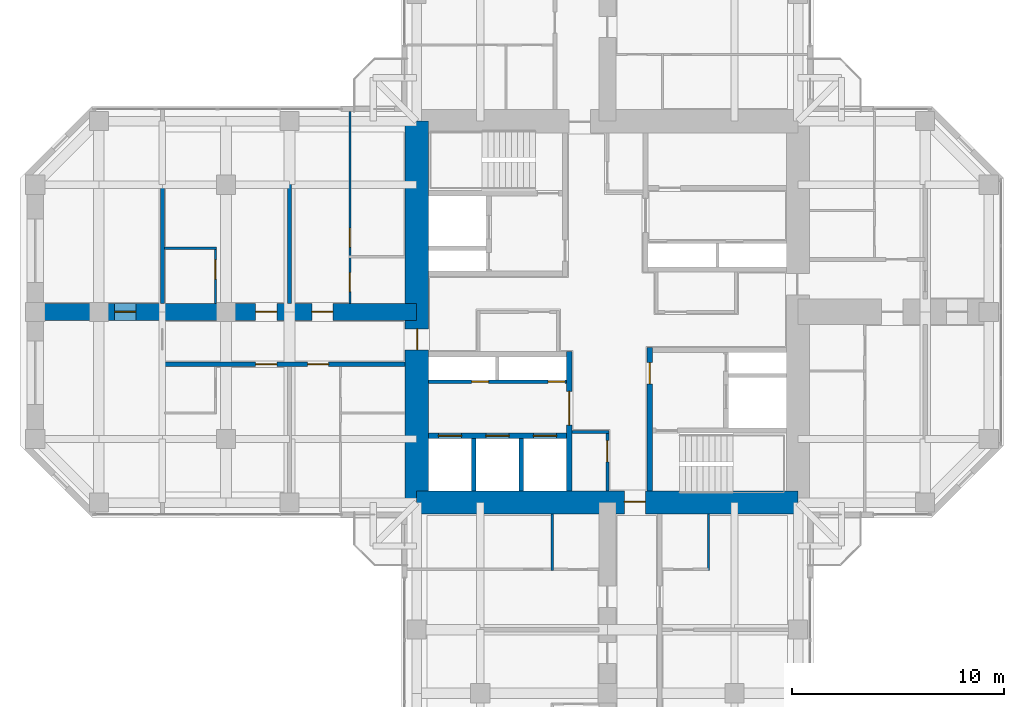
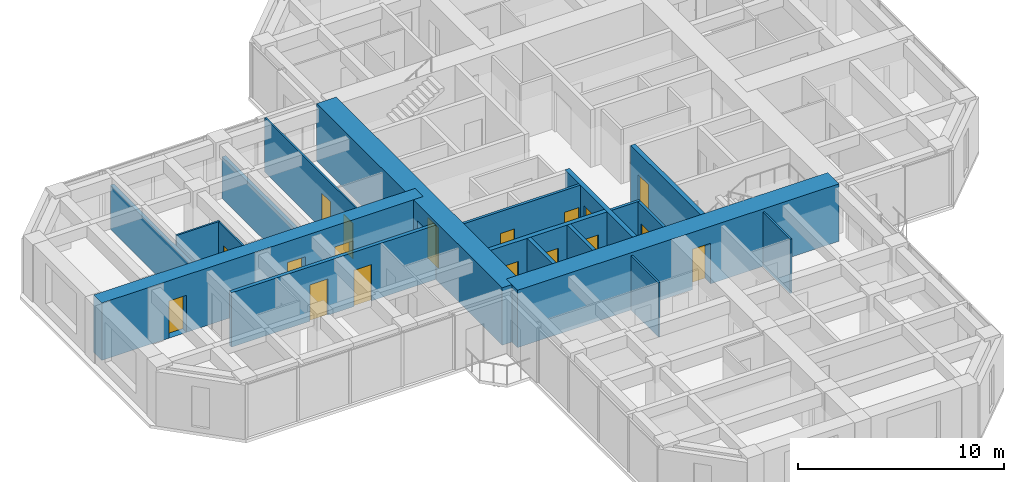
# One storey, part 9 of 14: 19 walls, 18 doors, 18 openings.
"""IFC4 building model written with IfcOpenShell, lengths in metres."""

from ifc_helpers import new_model, si_unit, direction, frame, frame_2d, origin, place, context, subcontext, project, spatial, rectangle, extrude, material, layer, layer_set, constituent, constituent_set, type_object, element, fill, save


model = new_model("IFC4")

# Units and contexts
model_context = context("Model", 3, precision=1e-05, world=origin(), true_north=direction((0.0, 1.0)))
body_context = subcontext(model_context, "Body", "Model", "MODEL_VIEW")
ifc_project = project(units=[si_unit("LENGTHUNIT", "METRE"), si_unit("AREAUNIT", "SQUARE_METRE"), si_unit("VOLUMEUNIT", "CUBIC_METRE"), si_unit("PLANEANGLEUNIT", "RADIAN"), si_unit("MASSUNIT", "GRAM", prefix="KILO")], contexts=[model_context])

# Site, building, storey
site_placement = place(None, origin())
site = spatial("IfcSite", under=ifc_project, at=site_placement, CompositionType="ELEMENT")
building_placement = place(site_placement, origin())
building = spatial("IfcBuilding", under=site, at=building_placement, Name="Torre Cruceta", CompositionType="ELEMENT")
storey_placement = place(building_placement, frame((0.0, 0.0, 179.699951171875)))
storey = spatial("IfcBuildingStorey", under=building, at=storey_placement, Name="L44", CompositionType="ELEMENT", Elevation=179.699951171875)

# Walls
ifc_material_1 = material(Name="Water-resistant plasterboard on steel studs", Category="steel")
ifc_layer_1 = layer(ifc_material_1, 0.10009765625)
ifc_layer_set_1 = layer_set([ifc_layer_1], Name="Water-resistant plasterboard on steel studs")
wall_type_1 = type_object("IfcWallType", Name="BATHROOM WALL 100", PredefinedType="PARTITIONING", material=ifc_layer_set_1)
for number, where, z_axis, x_axis, name in (
    (1, (4.77490234375, -9.550048828125, 0.0), (0.0, 0.0, 1.0), (0.0, -1.0, 0.0), "PT4 L44-S-U1LBB"),
    (2, (-2.60009765625, -9.550048828125, 0.0), (0.0, 0.0, 1.0), (0.0, -1.0, 0.0), "PT4 L44-S-U1RBB"),
):
    element("IfcWall", number, at=place(storey_placement, frame(where, z_axis=z_axis, x_axis=x_axis)), inside=storey, type_object=wall_type_1, Name=name, PredefinedType="PARTITIONING", context=body_context, shape_type="SweptSolid", body=[
        extrude(rectangle(XDim=2.64990234375, YDim=0.10009765625, at=frame_2d((1.324951171875, 0.0))), origin(), (0.0, 0.0, 1.0), 3.219970703125),
    ])

# Wall, openings, doors
wall_1_placement = place(storey_placement, frame((-12.14990234375, 9.445068359375, 0.0), z_axis=(0.0, 0.0, 1.0), x_axis=(0.0, -1.0, 0.0)))
wall_1 = element("IfcWall", 3, at=wall_1_placement, inside=storey, type_object=wall_type_1, Name="PT4 L44-W-U1RBS", PredefinedType="PARTITIONING", context=body_context, shape_type="SweptSolid", body=[
    extrude(rectangle(XDim=9.045166015625, YDim=0.10009765625, at=frame_2d((4.5224609375, 0.0))), origin(), (0.0, 0.0, 1.0), 3.219970703125),
])
opening_1_placement = place(wall_1_placement, frame((5.4951171875, 0.0, 0.0)))
opening_1 = element("IfcOpeningElement", 4, at=opening_1_placement, cuts=wall_1, Name="Opening D7", PredefinedType="OPENING", context=body_context, shape_type="SweptSolid", body=[
    extrude(rectangle(XDim=0.89990234375, YDim=2.10009765625, at=frame_2d((0.449951171875, 1.050048828125))), frame((0.0, 0.06005859375, 0.0), z_axis=(0.0, -1.0, 0.0), x_axis=(1.0, 0.0, 0.0)), (0.0, 0.0, 1.0), 0.1201171875),
])
opening_2_placement = place(wall_1_placement, frame((7.594970703125, 0.0, 0.0)))
opening_2 = element("IfcOpeningElement", 5, at=opening_2_placement, cuts=wall_1, Name="Opening D7", PredefinedType="OPENING", context=body_context, shape_type="SweptSolid", body=[
    extrude(rectangle(XDim=0.89990234375, YDim=2.10009765625, at=frame_2d((0.449951171875, 1.050048828125))), frame((0.0, 0.06005859375, 0.0), z_axis=(0.0, -1.0, 0.0), x_axis=(1.0, 0.0, 0.0)), (0.0, 0.0, 1.0), 0.1201171875),
])
ifc_material_2 = material(Name="Timber door", Category="wood")
door_type_1 = type_object("IfcDoorType", Name="BATHROOM DOOR 900X2100", OperationType="SINGLE_SWING_LEFT", PredefinedType="DOOR", material=ifc_material_2)
door_1_placement = place(opening_1_placement, origin())
door_1 = element("IfcDoor", 6, at=door_1_placement, inside=storey, type_object=door_type_1, Name="D7 L44-W-U1RBS-D1", OperationType="SINGLE_SWING_RIGHT", OverallHeight=2.10009765625, OverallWidth=0.89990234375, PredefinedType="DOOR", context=body_context, shape_type="SweptSolid", body=[
    extrude(rectangle(XDim=0.89990234375, YDim=2.10009765625, at=frame_2d((0.449951171875, 1.050048828125))), frame((0.0, 0.02490234375, 0.0), z_axis=(0.0, -1.0, 0.0), x_axis=(1.0, 0.0, 0.0)), (0.0, 0.0, 1.0), 0.050048828125),
])
fill(opening_1, door_1)
door_2_placement = place(opening_2_placement, origin())
door_2 = element("IfcDoor", 7, at=door_2_placement, inside=storey, type_object=door_type_1, Name="D7 L44-W-U1RBS-D2", OperationType="SINGLE_SWING_RIGHT", OverallHeight=2.10009765625, OverallWidth=0.89990234375, PredefinedType="DOOR", context=body_context, shape_type="SweptSolid", body=[
    extrude(rectangle(XDim=0.89990234375, YDim=2.10009765625, at=frame_2d((0.449951171875, 1.050048828125))), frame((0.0, 0.02490234375, 0.0), z_axis=(0.0, -1.0, 0.0), x_axis=(1.0, 0.0, 0.0)), (0.0, 0.0, 1.0), 0.050048828125),
])
fill(opening_2, door_2)

# Wall
wall_2_placement = place(storey_placement, frame((-18.449951171875, 3.0, 0.0), z_axis=(0.0, 0.0, 1.0), x_axis=(-1.0, 0.0, 0.0)))
element("IfcWall", 8, at=wall_2_placement, inside=storey, type_object=wall_type_1, Name="PT4 L44-W-U2RBB", PredefinedType="PARTITIONING", context=body_context, shape_type="SweptSolid", body=[
    extrude(rectangle(XDim=2.449951171875, YDim=0.10009765625, at=frame_2d((1.22509765625, 0.0))), origin(), (0.0, 0.0, 1.0), 3.219970703125),
])

# Wall, opening, door
wall_3_placement = place(storey_placement, frame((-18.5, 3.0, 0.0), z_axis=(0.0, 0.0, 1.0), x_axis=(0.0, -1.0, 0.0)))
wall_3 = element("IfcWall", 9, at=wall_3_placement, inside=storey, type_object=wall_type_1, Name="PT4 L44-W-U2RBS", PredefinedType="PARTITIONING", context=body_context, shape_type="SweptSolid", body=[
    extrude(rectangle(XDim=2.60009765625, YDim=0.10009765625, at=frame_2d((1.300048828125, 0.0))), origin(), (0.0, 0.0, 1.0), 3.219970703125),
])
opening_3_placement = place(wall_3_placement, frame((0.550048828125, 0.0, 0.0)))
opening_3 = element("IfcOpeningElement", 10, at=opening_3_placement, cuts=wall_3, Name="Opening D7", PredefinedType="OPENING", context=body_context, shape_type="SweptSolid", body=[
    extrude(rectangle(XDim=0.89990234375, YDim=2.10009765625, at=frame_2d((0.449951171875, 1.050048828125))), frame((0.0, 0.06005859375, 0.0), z_axis=(0.0, -1.0, 0.0), x_axis=(1.0, 0.0, 0.0)), (0.0, 0.0, 1.0), 0.1201171875),
])
door_3_placement = place(opening_3_placement, frame((0.89990234375, 0.0, 0.0), z_axis=(0.0, 0.0, 1.0), x_axis=(-1.0, 0.0, 0.0)))
door_3 = element("IfcDoor", 11, at=door_3_placement, inside=storey, type_object=door_type_1, Name="D7 L44-W-U2RBS-D1", OperationType="SINGLE_SWING_RIGHT", OverallHeight=2.10009765625, OverallWidth=0.89990234375, PredefinedType="DOOR", context=body_context, shape_type="SweptSolid", body=[
    extrude(rectangle(XDim=0.89990234375, YDim=2.10009765625, at=frame_2d((0.449951171875, 1.050048828125))), frame((0.0, 0.025146484375, 0.0), z_axis=(0.0, -1.0, 0.0), x_axis=(1.0, 0.0, 0.0)), (0.0, 0.0, 1.0), 0.050048828125),
])
fill(opening_3, door_3)

ifc_material_3 = material(Name="Concrete G60 (fck 60 MPa)", Category="concrete")
ifc_layer_2 = layer(ifc_material_3, 0.25)
ifc_layer_set_2 = layer_set([ifc_layer_2], Name="Concrete G60 (fck 60 MPa)")
wall_type_2 = type_object("IfcWallType", Name="CORE INNER WALL 250 G60", PredefinedType="SHEAR", material=ifc_layer_set_2)
wall_4_placement = place(storey_placement, frame((-1.800048828125, -1.875, 0.0), z_axis=(0.0, 0.0, 1.0), x_axis=(0.0, -1.0, 0.0)))
wall_4 = element("IfcWall", 12, at=wall_4_placement, inside=storey, type_object=wall_type_2, Name="CW4 L44 SW-CU", PredefinedType="SHEAR", context=body_context, shape_type="SweptSolid", body=[
    extrude(rectangle(XDim=6.574951171875, YDim=0.25, at=frame_2d((3.28759765625, 0.0))), origin(), (0.0, 0.0, 1.0), 3.400146484375),
])
opening_4_placement = place(wall_4_placement, frame((1.875, 0.0, 0.0)))
opening_4 = element("IfcOpeningElement", 13, at=opening_4_placement, cuts=wall_4, Name="Opening D8", PredefinedType="OPENING", context=body_context, shape_type="SweptSolid", body=[
    extrude(rectangle(XDim=1.60009765625, YDim=2.39990234375, at=frame_2d((0.800048828125, 1.199951171875))), frame((0.0, 0.135009765625, 0.0), z_axis=(0.0, -1.0, 0.0), x_axis=(1.0, 0.0, 0.0)), (0.0, 0.0, 1.0), 0.27001953125),
])
ifc_material_4 = material(Name="Steel DX51D", Category="steel")
ifc_constituent_1 = constituent(ifc_material_4, Name="Leaf and frame")
ifc_material_5 = material(Name="Polyester powder coating", Category="paint")
ifc_constituent_2 = constituent(ifc_material_5, Name="Finish")
ifc_material_6 = material(Name="Fire-resisting glass", Category="glass")
ifc_constituent_3 = constituent(ifc_material_6, Name="Vision panel")
ifc_constituent_set_1 = constituent_set(constituents=[ifc_constituent_1, ifc_constituent_2, ifc_constituent_3], Name="Steel fire door with vision panels")
door_type_2 = type_object("IfcDoorType", Name="LIFT LOBBY DOUBLE DOOR 1600X2400", OperationType="DOUBLE_DOOR_DOUBLE_SWING", PredefinedType="DOOR", material=ifc_constituent_set_1)
door_4_placement = place(opening_4_placement, origin())
door_4 = element("IfcDoor", 14, at=door_4_placement, inside=storey, type_object=door_type_2, Name="D8 L44 SW-LOBBY", OperationType="DOUBLE_DOOR_DOUBLE_SWING", OverallHeight=2.39990234375, OverallWidth=1.60009765625, PredefinedType="DOOR", context=body_context, shape_type="SweptSolid", body=[
    extrude(rectangle(XDim=1.60009765625, YDim=2.39990234375, at=frame_2d((0.800048828125, 1.199951171875))), frame((0.0, 0.02490234375, 0.0), z_axis=(0.0, -1.0, 0.0), x_axis=(1.0, 0.0, 0.0)), (0.0, 0.0, 1.0), 0.050048828125),
])
fill(opening_4, door_4)

# Wall, openings, doors
wall_5_placement = place(storey_placement, frame((-1.925048828125, -5.85009765625, 0.0), z_axis=(0.0, 0.0, 1.0), x_axis=(-1.0, 0.0, 0.0)))
wall_5 = element("IfcWall", 15, at=wall_5_placement, inside=storey, type_object=wall_type_2, Name="CW4 L44 SW-LV", PredefinedType="SHEAR", context=body_context, shape_type="SweptSolid", body=[
    extrude(rectangle(XDim=6.52490234375, YDim=0.25, at=frame_2d((3.262451171875, 0.0))), origin(), (0.0, 0.0, 1.0), 3.400146484375),
])
opening_5_placement = place(wall_5_placement, frame((0.470947265625, 0.0, 0.0)))
opening_5 = element("IfcOpeningElement", 16, at=opening_5_placement, cuts=wall_5, Name="Opening LD1", PredefinedType="OPENING", context=body_context, shape_type="SweptSolid", body=[
    extrude(rectangle(XDim=1.10009765625, YDim=2.199951171875, at=frame_2d((0.550048828125, 1.10009765625))), frame((0.0, 0.135009765625, 0.0), z_axis=(0.0, -1.0, 0.0), x_axis=(1.0, 0.0, 0.0)), (0.0, 0.0, 1.0), 0.27001953125),
])
opening_6_placement = place(wall_5_placement, frame((2.71240234375, 0.0, 0.0)))
opening_6 = element("IfcOpeningElement", 17, at=opening_6_placement, cuts=wall_5, Name="Opening LD1", PredefinedType="OPENING", context=body_context, shape_type="SweptSolid", body=[
    extrude(rectangle(XDim=1.10009765625, YDim=2.199951171875, at=frame_2d((0.550048828125, 1.10009765625))), frame((0.0, 0.135009765625, 0.0), z_axis=(0.0, -1.0, 0.0), x_axis=(1.0, 0.0, 0.0)), (0.0, 0.0, 1.0), 0.27001953125),
])
opening_7_placement = place(wall_5_placement, frame((4.9541015625, 0.0, 0.0)))
opening_7 = element("IfcOpeningElement", 18, at=opening_7_placement, cuts=wall_5, Name="Opening LD1", PredefinedType="OPENING", context=body_context, shape_type="SweptSolid", body=[
    extrude(rectangle(XDim=1.10009765625, YDim=2.199951171875, at=frame_2d((0.550048828125, 1.10009765625))), frame((0.0, 0.135009765625, 0.0), z_axis=(0.0, -1.0, 0.0), x_axis=(1.0, 0.0, 0.0)), (0.0, 0.0, 1.0), 0.27001953125),
])
ifc_material_7 = material(Name="Stainless steel 1.4401", Category="steel")
door_type_3 = type_object("IfcDoorType", Name="LIFT LANDING DOOR 1100X2200", OperationType="DOUBLE_DOOR_SLIDING", PredefinedType="DOOR", material=ifc_material_7)
door_5_placement = place(opening_5_placement, origin())
door_5 = element("IfcDoor", 19, at=door_5_placement, inside=storey, type_object=door_type_3, Name="Lift landing door R1", OperationType="DOUBLE_DOOR_SLIDING", OverallHeight=2.199951171875, OverallWidth=1.10009765625, PredefinedType="DOOR", context=body_context, shape_type="SweptSolid", body=[
    extrude(rectangle(XDim=1.10009765625, YDim=2.199951171875, at=frame_2d((0.550048828125, 1.10009765625))), frame((0.0, 0.02490234375, 0.0), z_axis=(0.0, -1.0, 0.0), x_axis=(1.0, 0.0, 0.0)), (0.0, 0.0, 1.0), 0.050048828125),
])
fill(opening_5, door_5)
door_6_placement = place(opening_6_placement, origin())
door_6 = element("IfcDoor", 20, at=door_6_placement, inside=storey, type_object=door_type_3, Name="Lift landing door R2", OperationType="DOUBLE_DOOR_SLIDING", OverallHeight=2.199951171875, OverallWidth=1.10009765625, PredefinedType="DOOR", context=body_context, shape_type="SweptSolid", body=[
    extrude(rectangle(XDim=1.10009765625, YDim=2.199951171875, at=frame_2d((0.550048828125, 1.10009765625))), frame((0.0, 0.02490234375, 0.0), z_axis=(0.0, -1.0, 0.0), x_axis=(1.0, 0.0, 0.0)), (0.0, 0.0, 1.0), 0.050048828125),
])
fill(opening_6, door_6)
door_7_placement = place(opening_7_placement, origin())
door_7 = element("IfcDoor", 21, at=door_7_placement, inside=storey, type_object=door_type_3, Name="Lift landing door R3", OperationType="DOUBLE_DOOR_SLIDING", OverallHeight=2.199951171875, OverallWidth=1.10009765625, PredefinedType="DOOR", context=body_context, shape_type="SweptSolid", body=[
    extrude(rectangle(XDim=1.10009765625, YDim=2.199951171875, at=frame_2d((0.550048828125, 1.10009765625))), frame((0.0, 0.02490234375, 0.0), z_axis=(0.0, -1.0, 0.0), x_axis=(1.0, 0.0, 0.0)), (0.0, 0.0, 1.0), 0.050048828125),
])
fill(opening_7, door_7)

# Wall, opening, door
wall_6_placement = place(storey_placement, frame((2.0, -1.675048828125, 0.0), z_axis=(0.0, 0.0, 1.0), x_axis=(0.0, -1.0, 0.0)))
wall_6 = element("IfcWall", 22, at=wall_6_placement, inside=storey, type_object=wall_type_2, Name="CW4 L44 SE-CU", PredefinedType="SHEAR", context=body_context, shape_type="SweptSolid", body=[
    extrude(rectangle(XDim=6.77490234375, YDim=0.25, at=frame_2d((3.387451171875, 0.0))), origin(), (0.0, 0.0, 1.0), 3.400146484375),
])
opening_8_placement = place(wall_6_placement, frame((0.72509765625, 0.0, 0.0)))
opening_8 = element("IfcOpeningElement", 23, at=opening_8_placement, cuts=wall_6, Name="Opening D3", PredefinedType="OPENING", context=body_context, shape_type="SweptSolid", body=[
    extrude(rectangle(XDim=1.0, YDim=2.10009765625, at=frame_2d((0.5, 1.050048828125))), frame((0.0, 0.135009765625, 0.0), z_axis=(0.0, -1.0, 0.0), x_axis=(1.0, 0.0, 0.0)), (0.0, 0.0, 1.0), 0.27001953125),
])
ifc_material_8 = material(Name="Steel DX51D", Category="steel")
ifc_constituent_4 = constituent(ifc_material_8, Name="Leaf and frame")
ifc_material_9 = material(Name="Polyester powder coating", Category="paint")
ifc_constituent_5 = constituent(ifc_material_9, Name="Finish")
ifc_constituent_set_2 = constituent_set(constituents=[ifc_constituent_4, ifc_constituent_5], Name="Steel fire door")
door_type_4 = type_object("IfcDoorType", Name="FIRE DOOR 1000X2100", OperationType="SINGLE_SWING_LEFT", PredefinedType="DOOR", material=ifc_constituent_set_2)
door_8_placement = place(opening_8_placement, origin())
door_8 = element("IfcDoor", 24, at=door_8_placement, inside=storey, type_object=door_type_4, Name="D3 L44 SE-LOBBY", OperationType="SINGLE_SWING_LEFT", OverallHeight=2.10009765625, OverallWidth=1.0, PredefinedType="DOOR", context=body_context, shape_type="SweptSolid", body=[
    extrude(rectangle(XDim=1.0, YDim=2.10009765625, at=frame_2d((0.5, 1.050048828125))), frame((0.0, 0.02490234375, 0.0), z_axis=(0.0, -1.0, 0.0), x_axis=(1.0, 0.0, 0.0)), (0.0, 0.0, 1.0), 0.050048828125),
])
fill(opening_8, door_8)

ifc_material_10 = material(Name="Concrete G60 (fck 60 MPa)", Category="concrete")
ifc_layer_3 = layer(ifc_material_10, 1.10009765625)
ifc_layer_set_3 = layer_set([ifc_layer_3], Name="Concrete G60 (fck 60 MPa)")
wall_type_3 = type_object("IfcWallType", Name="CORE WALL 1100 G60", PredefinedType="SHEAR", material=ifc_layer_set_3)
wall_7_placement = place(storey_placement, frame((-9.0, -9.0, 0.0), z_axis=(0.0, 0.0, 1.0), x_axis=(1.0, 0.0, 0.0)))
wall_7 = element("IfcWall", 25, at=wall_7_placement, inside=storey, type_object=wall_type_3, Name="CW2 L44 CW-S", PredefinedType="SHEAR", context=body_context, shape_type="SweptSolid", body=[
    extrude(rectangle(XDim=18.0, YDim=1.10009765625, at=frame_2d((9.0, 0.0))), origin(), (0.0, 0.0, 1.0), 3.400146484375),
])
opening_9_placement = place(wall_7_placement, frame((9.800048828125, 0.0, 0.0)))
opening_9 = element("IfcOpeningElement", 26, at=opening_9_placement, cuts=wall_7, Name="Opening D4", PredefinedType="OPENING", context=body_context, shape_type="SweptSolid", body=[
    extrude(rectangle(XDim=1.0, YDim=2.39990234375, at=frame_2d((0.5, 1.199951171875))), frame((0.0, 0.56005859375, 0.0), z_axis=(0.0, -1.0, 0.0), x_axis=(1.0, 0.0, 0.0)), (0.0, 0.0, 1.0), 1.1201171875),
])
ifc_material_11 = material(Name="Steel DX51D", Category="steel")
ifc_constituent_6 = constituent(ifc_material_11, Name="Leaf and frame")
ifc_material_12 = material(Name="Polyester powder coating", Category="paint")
ifc_constituent_7 = constituent(ifc_material_12, Name="Finish")
ifc_constituent_set_3 = constituent_set(constituents=[ifc_constituent_6, ifc_constituent_7], Name="Steel fire door")
door_type_5 = type_object("IfcDoorType", Name="CORE ARM DOOR 1000X2400", OperationType="SINGLE_SWING_RIGHT", PredefinedType="DOOR", material=ifc_constituent_set_3)
door_9_placement = place(opening_9_placement, origin())
door_9 = element("IfcDoor", 27, at=door_9_placement, inside=storey, type_object=door_type_5, Name="D4 L44 CW-S", OperationType="SINGLE_SWING_RIGHT", OverallHeight=2.39990234375, OverallWidth=1.0, PredefinedType="DOOR", context=body_context, shape_type="SweptSolid", body=[
    extrude(rectangle(XDim=1.0, YDim=2.39990234375, at=frame_2d((0.5, 1.199951171875))), frame((0.0, 0.05517578125, 0.0), z_axis=(0.0, -1.0, 0.0), x_axis=(1.0, 0.0, 0.0)), (0.0, 0.0, 1.0), 0.050048828125),
])
fill(opening_9, door_9)

wall_8_placement = place(storey_placement, frame((-9.0, 9.0, 0.0), z_axis=(0.0, 0.0, 1.0), x_axis=(0.0, -1.0, 0.0)))
wall_8 = element("IfcWall", 28, at=wall_8_placement, inside=storey, type_object=wall_type_3, Name="CW2 L44 CW-W", PredefinedType="SHEAR", context=body_context, shape_type="SweptSolid", body=[
    extrude(rectangle(XDim=18.0, YDim=1.10009765625, at=frame_2d((9.0, 0.0))), origin(), (0.0, 0.0, 1.0), 3.400146484375),
])
opening_10_placement = place(wall_8_placement, frame((9.800048828125, 0.0, 0.0)))
opening_10 = element("IfcOpeningElement", 29, at=opening_10_placement, cuts=wall_8, Name="Opening D4", PredefinedType="OPENING", context=body_context, shape_type="SweptSolid", body=[
    extrude(rectangle(XDim=1.0, YDim=2.39990234375, at=frame_2d((0.5, 1.199951171875))), frame((0.0, 0.56005859375, 0.0), z_axis=(0.0, -1.0, 0.0), x_axis=(1.0, 0.0, 0.0)), (0.0, 0.0, 1.0), 1.1201171875),
])
door_10_placement = place(opening_10_placement, origin())
door_10 = element("IfcDoor", 30, at=door_10_placement, inside=storey, type_object=door_type_5, Name="D4 L44 CW-W", OperationType="SINGLE_SWING_RIGHT", OverallHeight=2.39990234375, OverallWidth=1.0, PredefinedType="DOOR", context=body_context, shape_type="SweptSolid", body=[
    extrude(rectangle(XDim=1.0, YDim=2.39990234375, at=frame_2d((0.5, 1.199951171875))), frame((0.0, 0.05517578125, 0.0), z_axis=(0.0, -1.0, 0.0), x_axis=(1.0, 0.0, 0.0)), (0.0, 0.0, 1.0), 0.050048828125),
])
fill(opening_10, door_10)

# Wall, openings, doors
ifc_material_13 = material(Name="Concrete G25 (fck 25 MPa)", Category="concrete")
ifc_layer_4 = layer(ifc_material_13, 0.199951171875)
ifc_layer_set_4 = layer_set([ifc_layer_4], Name="Concrete G25 (fck 25 MPa)")
wall_type_4 = type_object("IfcWallType", Name="CORRIDOR WALL 200", PredefinedType="SOLIDWALL", material=ifc_layer_set_4)
wall_9_placement = place(storey_placement, frame((-9.550048828125, -2.47509765625, 0.0), z_axis=(0.0, 0.0, 1.0), x_axis=(-1.0, 0.0, 0.0)))
wall_9 = element("IfcWall", 31, at=wall_9_placement, inside=storey, type_object=wall_type_4, Name="PT3 L44-W-CL", PredefinedType="SOLIDWALL", context=body_context, shape_type="SweptSolid", body=[
    extrude(rectangle(XDim=11.449951171875, YDim=0.199951171875, at=frame_2d((5.72509765625, 0.0))), origin(), (0.0, 0.0, 1.0), 3.219970703125),
])
opening_11_placement = place(wall_9_placement, frame((3.60009765625, 0.0, 0.0)))
opening_11 = element("IfcOpeningElement", 32, at=opening_11_placement, cuts=wall_9, Name="Opening D6", PredefinedType="OPENING", context=body_context, shape_type="SweptSolid", body=[
    extrude(rectangle(XDim=1.0, YDim=2.14990234375, at=frame_2d((0.5, 1.074951171875))), frame((0.0, 0.10986328125, 0.0), z_axis=(0.0, -1.0, 0.0), x_axis=(1.0, 0.0, 0.0)), (0.0, 0.0, 1.0), 0.219970703125),
])
opening_12_placement = place(wall_9_placement, frame((6.050048828125, 0.0, 0.0)))
opening_12 = element("IfcOpeningElement", 33, at=opening_12_placement, cuts=wall_9, Name="Opening D6", PredefinedType="OPENING", context=body_context, shape_type="SweptSolid", body=[
    extrude(rectangle(XDim=1.0, YDim=2.14990234375, at=frame_2d((0.5, 1.074951171875))), frame((0.0, 0.10986328125, 0.0), z_axis=(0.0, -1.0, 0.0), x_axis=(1.0, 0.0, 0.0)), (0.0, 0.0, 1.0), 0.219970703125),
])
ifc_material_14 = material(Name="Timber fire door", Category="wood")
door_type_6 = type_object("IfcDoorType", Name="UNIT ENTRANCE DOOR 1000X2150", OperationType="SINGLE_SWING_LEFT", PredefinedType="DOOR", material=ifc_material_14)
door_11_placement = place(opening_11_placement, origin())
door_11 = element("IfcDoor", 34, at=door_11_placement, inside=storey, type_object=door_type_6, Name="D6 L44-W-CL-D1", OperationType="SINGLE_SWING_LEFT", OverallHeight=2.14990234375, OverallWidth=1.0, PredefinedType="DOOR", context=body_context, shape_type="SweptSolid", body=[
    extrude(rectangle(XDim=1.0, YDim=2.14990234375, at=frame_2d((0.5, 1.074951171875))), frame((0.0, 0.02490234375, 0.0), z_axis=(0.0, -1.0, 0.0), x_axis=(1.0, 0.0, 0.0)), (0.0, 0.0, 1.0), 0.050048828125),
])
fill(opening_11, door_11)
door_12_placement = place(opening_12_placement, origin())
door_12 = element("IfcDoor", 35, at=door_12_placement, inside=storey, type_object=door_type_6, Name="D6 L44-W-CL-D2", OperationType="SINGLE_SWING_LEFT", OverallHeight=2.14990234375, OverallWidth=1.0, PredefinedType="DOOR", context=body_context, shape_type="SweptSolid", body=[
    extrude(rectangle(XDim=1.0, YDim=2.14990234375, at=frame_2d((0.5, 1.074951171875))), frame((0.0, 0.02490234375, 0.0), z_axis=(0.0, -1.0, 0.0), x_axis=(1.0, 0.0, 0.0)), (0.0, 0.0, 1.0), 0.050048828125),
])
fill(opening_12, door_12)

# Walls
ifc_material_15 = material(Name="Concrete G35 (fck 35 MPa)", Category="concrete")
ifc_layer_5 = layer(ifc_material_15, 0.199951171875)
ifc_layer_set_5 = layer_set([ifc_layer_5], Name="Concrete G35 (fck 35 MPa)")
wall_type_5 = type_object("IfcWallType", Name="LIFT SHAFT WALL 200", PredefinedType="PARTITIONING", material=ifc_layer_set_5)
for number, where, z_axis, x_axis, name in (
    (36, (-4.066650390625, -5.97509765625, 0.0), (0.0, 0.0, 1.0), (0.0, -1.0, 0.0), "SW1 L44 SW-LS1"),
    (37, (-6.308349609375, -5.97509765625, 0.0), (0.0, 0.0, 1.0), (0.0, -1.0, 0.0), "SW1 L44 SW-LS2"),
):
    element("IfcWall", number, at=place(storey_placement, frame(where, z_axis=z_axis, x_axis=x_axis)), inside=storey, type_object=wall_type_5, Name=name, PredefinedType="PARTITIONING", context=body_context, shape_type="SweptSolid", body=[
        extrude(rectangle(XDim=2.474853515625, YDim=0.199951171875, at=frame_2d((1.2373046875, 0.0))), origin(), (0.0, 0.0, 1.0), 3.400146484375),
    ])

# Wall, opening, door
ifc_material_16 = material(Name="Plasterboard on steel studs", Category="steel")
ifc_layer_6 = layer(ifc_material_16, 0.14990234375)
ifc_layer_set_6 = layer_set([ifc_layer_6], Name="Plasterboard on steel studs")
wall_type_6 = type_object("IfcWallType", Name="PARTITION 150", PredefinedType="PARTITIONING", material=ifc_layer_set_6)
wall_10_placement = place(storey_placement, frame((0.0, -5.675048828125, 0.0), z_axis=(0.0, 0.0, 1.0), x_axis=(0.0, -1.0, 0.0)))
wall_10 = element("IfcWall", 38, at=wall_10_placement, inside=storey, type_object=wall_type_6, Name="PT1 L44-CORE-LEGS-W-W1", PredefinedType="PARTITIONING", context=body_context, shape_type="SweptSolid", body=[
    extrude(rectangle(XDim=2.77490234375, YDim=0.14990234375, at=frame_2d((1.387451171875, 0.0))), origin(), (0.0, 0.0, 1.0), 3.219970703125),
])
opening_13_placement = place(wall_10_placement, frame((0.39990234375, 0.0, 0.0)))
opening_13 = element("IfcOpeningElement", 39, at=opening_13_placement, cuts=wall_10, Name="Opening D3", PredefinedType="OPENING", context=body_context, shape_type="SweptSolid", body=[
    extrude(rectangle(XDim=1.0, YDim=2.10009765625, at=frame_2d((0.5, 1.050048828125))), frame((0.0, 0.0849609375, 0.0), z_axis=(0.0, -1.0, 0.0), x_axis=(1.0, 0.0, 0.0)), (0.0, 0.0, 1.0), 0.169921875),
])
door_13_placement = place(opening_13_placement, frame((1.0, 0.0, 0.0), z_axis=(0.0, 0.0, 1.0), x_axis=(-1.0, 0.0, 0.0)))
door_13 = element("IfcDoor", 40, at=door_13_placement, inside=storey, type_object=door_type_4, Name="D3 L44-CORE-LEGS-W-W1-D1", OperationType="SINGLE_SWING_RIGHT", OverallHeight=2.10009765625, OverallWidth=1.0, PredefinedType="DOOR", context=body_context, shape_type="SweptSolid", body=[
    extrude(rectangle(XDim=1.0, YDim=2.10009765625, at=frame_2d((0.5, 1.050048828125))), frame((0.0, 0.025146484375, 0.0), z_axis=(0.0, -1.0, 0.0), x_axis=(1.0, 0.0, 0.0)), (0.0, 0.0, 1.0), 0.050048828125),
])
fill(opening_13, door_13)

# Wall
wall_11_placement = place(storey_placement, frame((-1.675048828125, -5.675048828125, 0.0), z_axis=(0.0, 0.0, 1.0), x_axis=(1.0, 0.0, 0.0)))
element("IfcWall", 41, at=wall_11_placement, inside=storey, type_object=wall_type_6, Name="PT1 L44-CORE-LEGS-W-W2", PredefinedType="PARTITIONING", context=body_context, shape_type="SweptSolid", body=[
    extrude(rectangle(XDim=1.75, YDim=0.14990234375, at=frame_2d((0.875, 0.0))), origin(), (0.0, 0.0, 1.0), 3.219970703125),
])

# Wall, openings, doors
ifc_material_17 = material(Name="Concrete block masonry", Category="masonry")
ifc_layer_7 = layer(ifc_material_17, 0.14990234375)
ifc_layer_set_7 = layer_set([ifc_layer_7], Name="Concrete block masonry")
wall_type_7 = type_object("IfcWallType", Name="RISER WALL 150", PredefinedType="PARTITIONING", material=ifc_layer_set_7)
wall_12_placement = place(storey_placement, frame((-1.925048828125, -3.300048828125, 0.0), z_axis=(0.0, 0.0, 1.0), x_axis=(-1.0, 0.0, 0.0)))
wall_12 = element("IfcWall", 42, at=wall_12_placement, inside=storey, type_object=wall_type_7, Name="SW7 L44 SW-RV", PredefinedType="PARTITIONING", context=body_context, shape_type="SweptSolid", body=[
    extrude(rectangle(XDim=6.52490234375, YDim=0.14990234375, at=frame_2d((3.262451171875, 0.0))), origin(), (0.0, 0.0, 1.0), 3.400146484375),
])
opening_14_placement = place(wall_12_placement, frame((0.074951171875, 0.0, 0.0)))
opening_14 = element("IfcOpeningElement", 43, at=opening_14_placement, cuts=wall_12, Name="Opening D5", PredefinedType="OPENING", context=body_context, shape_type="SweptSolid", body=[
    extrude(rectangle(XDim=0.800048828125, YDim=2.10009765625, at=frame_2d((0.39990234375, 1.050048828125))), frame((0.0, 0.0849609375, 0.0), z_axis=(0.0, -1.0, 0.0), x_axis=(1.0, 0.0, 0.0)), (0.0, 0.0, 1.0), 0.169921875),
])
opening_15_placement = place(wall_12_placement, frame((3.675048828125, 0.0, 0.0)))
opening_15 = element("IfcOpeningElement", 44, at=opening_15_placement, cuts=wall_12, Name="Opening D5", PredefinedType="OPENING", context=body_context, shape_type="SweptSolid", body=[
    extrude(rectangle(XDim=0.800048828125, YDim=2.10009765625, at=frame_2d((0.39990234375, 1.050048828125))), frame((0.0, 0.0849609375, 0.0), z_axis=(0.0, -1.0, 0.0), x_axis=(1.0, 0.0, 0.0)), (0.0, 0.0, 1.0), 0.169921875),
])
ifc_material_18 = material(Name="Steel DX51D", Category="steel")
ifc_constituent_8 = constituent(ifc_material_18, Name="Leaf and frame")
ifc_material_19 = material(Name="Polyester powder coating", Category="paint")
ifc_constituent_9 = constituent(ifc_material_19, Name="Finish")
ifc_constituent_set_4 = constituent_set(constituents=[ifc_constituent_8, ifc_constituent_9], Name="Steel fire door")
door_type_7 = type_object("IfcDoorType", Name="RISER ACCESS DOOR 800X2100", OperationType="SINGLE_SWING_LEFT", PredefinedType="DOOR", material=ifc_constituent_set_4)
door_14_placement = place(opening_14_placement, frame((0.800048828125, 0.0, 0.0), z_axis=(0.0, 0.0, 1.0), x_axis=(-1.0, 0.0, 0.0)))
door_14 = element("IfcDoor", 45, at=door_14_placement, inside=storey, type_object=door_type_7, Name="D5 L44 SW-RISER1", OperationType="SINGLE_SWING_RIGHT", OverallHeight=2.10009765625, OverallWidth=0.800048828125, PredefinedType="DOOR", context=body_context, shape_type="SweptSolid", body=[
    extrude(rectangle(XDim=0.800048828125, YDim=2.10009765625, at=frame_2d((0.400146484375, 1.050048828125))), frame((0.0, 0.025146484375, 0.0), z_axis=(0.0, -1.0, 0.0), x_axis=(1.0, 0.0, 0.0)), (0.0, 0.0, 1.0), 0.050048828125),
])
fill(opening_14, door_14)
door_15_placement = place(opening_15_placement, frame((0.800048828125, 0.0, 0.0), z_axis=(0.0, 0.0, 1.0), x_axis=(-1.0, 0.0, 0.0)))
door_15 = element("IfcDoor", 46, at=door_15_placement, inside=storey, type_object=door_type_7, Name="D5 L44 SW-RISER2", OperationType="SINGLE_SWING_RIGHT", OverallHeight=2.10009765625, OverallWidth=0.800048828125, PredefinedType="DOOR", context=body_context, shape_type="SweptSolid", body=[
    extrude(rectangle(XDim=0.800048828125, YDim=2.10009765625, at=frame_2d((0.400146484375, 1.050048828125))), frame((0.0, 0.025146484375, 0.0), z_axis=(0.0, -1.0, 0.0), x_axis=(1.0, 0.0, 0.0)), (0.0, 0.0, 1.0), 0.050048828125),
])
fill(opening_15, door_15)

ifc_material_20 = material(Name="Concrete G60 (fck 60 MPa)", Category="concrete")
ifc_layer_8 = layer(ifc_material_20, 0.800048828125)
ifc_layer_set_8 = layer_set([ifc_layer_8], Name="Concrete G60 (fck 60 MPa)")
wall_type_8 = type_object("IfcWallType", Name="SPINE WALL 800 G60", PredefinedType="SHEAR", material=ifc_layer_set_8)
wall_13_placement = place(storey_placement, frame((-9.0, 0.0, 0.0), z_axis=(0.0, 0.0, 1.0), x_axis=(-1.0, 0.0, 0.0)))
wall_13 = element("IfcWall", 47, at=wall_13_placement, inside=storey, type_object=wall_type_8, Name="SW4 spine wall L44 W", PredefinedType="SHEAR", context=body_context, shape_type="SweptSolid", body=[
    extrude(rectangle(XDim=18.0, YDim=0.800048828125, at=frame_2d((9.0, 0.0))), origin(), (0.0, 0.0, 1.0), 3.400146484375),
])
opening_16_placement = place(wall_13_placement, frame((3.949951171875, 0.0, 0.0)))
opening_16 = element("IfcOpeningElement", 48, at=opening_16_placement, cuts=wall_13, Name="Opening D6", PredefinedType="OPENING", context=body_context, shape_type="SweptSolid", body=[
    extrude(rectangle(XDim=1.0, YDim=2.14990234375, at=frame_2d((0.5, 1.074951171875))), frame((0.0, 0.409912109375, 0.0), z_axis=(0.0, -1.0, 0.0), x_axis=(1.0, 0.0, 0.0)), (0.0, 0.0, 1.0), 0.820068359375),
])
opening_17_placement = place(wall_13_placement, frame((6.60009765625, 0.0, 0.0)))
opening_17 = element("IfcOpeningElement", 49, at=opening_17_placement, cuts=wall_13, Name="Opening D6", PredefinedType="OPENING", context=body_context, shape_type="SweptSolid", body=[
    extrude(rectangle(XDim=1.0, YDim=2.14990234375, at=frame_2d((0.5, 1.074951171875))), frame((0.0, 0.409912109375, 0.0), z_axis=(0.0, -1.0, 0.0), x_axis=(1.0, 0.0, 0.0)), (0.0, 0.0, 1.0), 0.820068359375),
])
opening_18_placement = place(wall_13_placement, frame((13.25, 0.0, 0.0)))
opening_18 = element("IfcOpeningElement", 50, at=opening_18_placement, cuts=wall_13, Name="Opening D14", PredefinedType="OPENING", context=body_context, shape_type="SweptSolid", body=[
    extrude(rectangle(XDim=1.0, YDim=2.199951171875, at=frame_2d((0.5, 1.10009765625))), frame((0.0, 0.409912109375, 0.0), z_axis=(0.0, -1.0, 0.0), x_axis=(1.0, 0.0, 0.0)), (0.0, 0.0, 1.0), 0.820068359375),
])
ifc_material_21 = material(Name="Steel DX51D", Category="steel")
ifc_constituent_10 = constituent(ifc_material_21, Name="Leaf and frame")
ifc_material_22 = material(Name="Polyester powder coating", Category="paint")
ifc_constituent_11 = constituent(ifc_material_22, Name="Finish")
ifc_material_23 = material(Name="Fire-resisting glass", Category="glass")
ifc_constituent_12 = constituent(ifc_material_23, Name="Vision panel")
ifc_constituent_set_5 = constituent_set(constituents=[ifc_constituent_10, ifc_constituent_11, ifc_constituent_12], Name="Steel fire door with vision panel")
door_type_8 = type_object("IfcDoorType", Name="FIRE DOOR VISION PANEL 1000X2200", OperationType="SINGLE_SWING_RIGHT", PredefinedType="DOOR", material=ifc_constituent_set_5)
door_16_placement = place(opening_18_placement, origin())
door_16 = element("IfcDoor", 51, at=door_16_placement, inside=storey, type_object=door_type_8, Name="D14 L44-W-SP3", OperationType="SINGLE_SWING_LEFT", OverallHeight=2.199951171875, OverallWidth=1.0, PredefinedType="DOOR", context=body_context, shape_type="SweptSolid", body=[
    extrude(rectangle(XDim=1.0, YDim=2.199951171875, at=frame_2d((0.5, 1.10009765625))), frame((0.0, 0.02490234375, 0.0), z_axis=(0.0, -1.0, 0.0), x_axis=(1.0, 0.0, 0.0)), (0.0, 0.0, 1.0), 0.050048828125),
])
fill(opening_18, door_16)
door_17_placement = place(opening_16_placement, frame((1.0, 0.0, 0.0), z_axis=(0.0, 0.0, 1.0), x_axis=(-1.0, 0.0, 0.0)))
door_17 = element("IfcDoor", 52, at=door_17_placement, inside=storey, type_object=door_type_6, Name="D6 L44-W-SP1", OperationType="SINGLE_SWING_RIGHT", OverallHeight=2.14990234375, OverallWidth=1.0, PredefinedType="DOOR", context=body_context, shape_type="SweptSolid", body=[
    extrude(rectangle(XDim=1.0, YDim=2.14990234375, at=frame_2d((0.5, 1.074951171875))), frame((0.0, 0.025146484375, 0.0), z_axis=(0.0, -1.0, 0.0), x_axis=(1.0, 0.0, 0.0)), (0.0, 0.0, 1.0), 0.050048828125),
])
fill(opening_16, door_17)
door_18_placement = place(opening_17_placement, frame((1.0, 0.0, 0.0), z_axis=(0.0, 0.0, 1.0), x_axis=(-1.0, 0.0, 0.0)))
door_18 = element("IfcDoor", 53, at=door_18_placement, inside=storey, type_object=door_type_6, Name="D6 L44-W-SP2", OperationType="SINGLE_SWING_RIGHT", OverallHeight=2.14990234375, OverallWidth=1.0, PredefinedType="DOOR", context=body_context, shape_type="SweptSolid", body=[
    extrude(rectangle(XDim=1.0, YDim=2.14990234375, at=frame_2d((0.5, 1.074951171875))), frame((0.0, 0.025146484375, 0.0), z_axis=(0.0, -1.0, 0.0), x_axis=(1.0, 0.0, 0.0)), (0.0, 0.0, 1.0), 0.050048828125),
])
fill(opening_17, door_18)

# Walls
ifc_material_24 = material(Name="Concrete G25 (fck 25 MPa)", Category="concrete")
ifc_layer_9 = layer(ifc_material_24, 0.199951171875)
ifc_layer_set_9 = layer_set([ifc_layer_9], Name="Concrete G25 (fck 25 MPa)")
wall_type_9 = type_object("IfcWallType", Name="UNIT SEPARATING WALL 200", PredefinedType="SOLIDWALL", material=ifc_layer_set_9)
wall_14_placement = place(storey_placement, frame((-15.0, 8.550048828125, 0.0), z_axis=(0.0, 0.0, 1.0), x_axis=(0.0, -1.0, 0.0)))
element("IfcWall", 54, at=wall_14_placement, inside=storey, type_object=wall_type_9, Name="PT2 L44-W-P1R", PredefinedType="SOLIDWALL", context=body_context, shape_type="SweptSolid", body=[
    extrude(rectangle(XDim=8.150146484375, YDim=0.199951171875, at=frame_2d((4.0751953125, 0.0))), origin(), (0.0, 0.0, 1.0), 2.469970703125),
])
wall_15_placement = place(storey_placement, frame((-21.0, 9.0, 0.0), z_axis=(0.0, 0.0, 1.0), x_axis=(0.0, -1.0, 0.0)))
element("IfcWall", 55, at=wall_15_placement, inside=storey, type_object=wall_type_9, Name="PT2 L44-W-ENDa 2", PredefinedType="SOLIDWALL", context=body_context, shape_type="SweptSolid", body=[
    extrude(rectangle(XDim=8.60009765625, YDim=0.199951171875, at=frame_2d((4.300048828125, 0.0))), origin(), (0.0, 0.0, 1.0), 2.6201171875),
])

save(model, "model.ifc")
